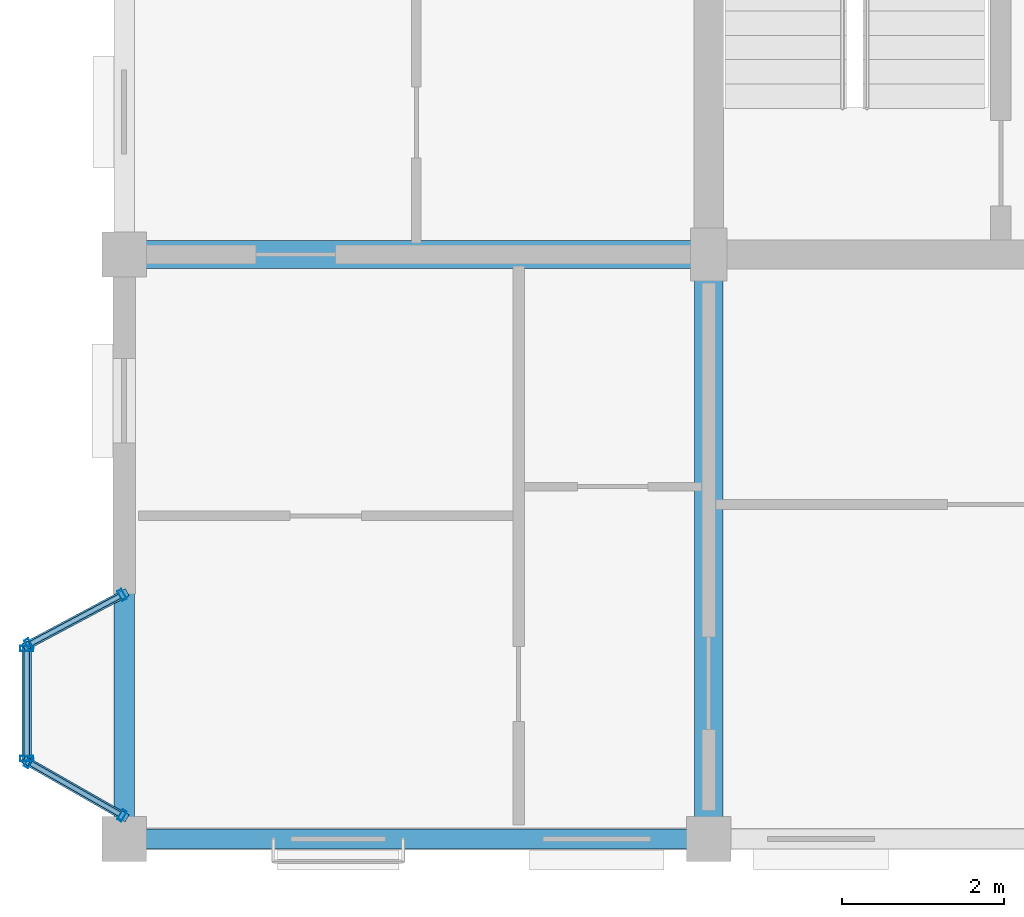
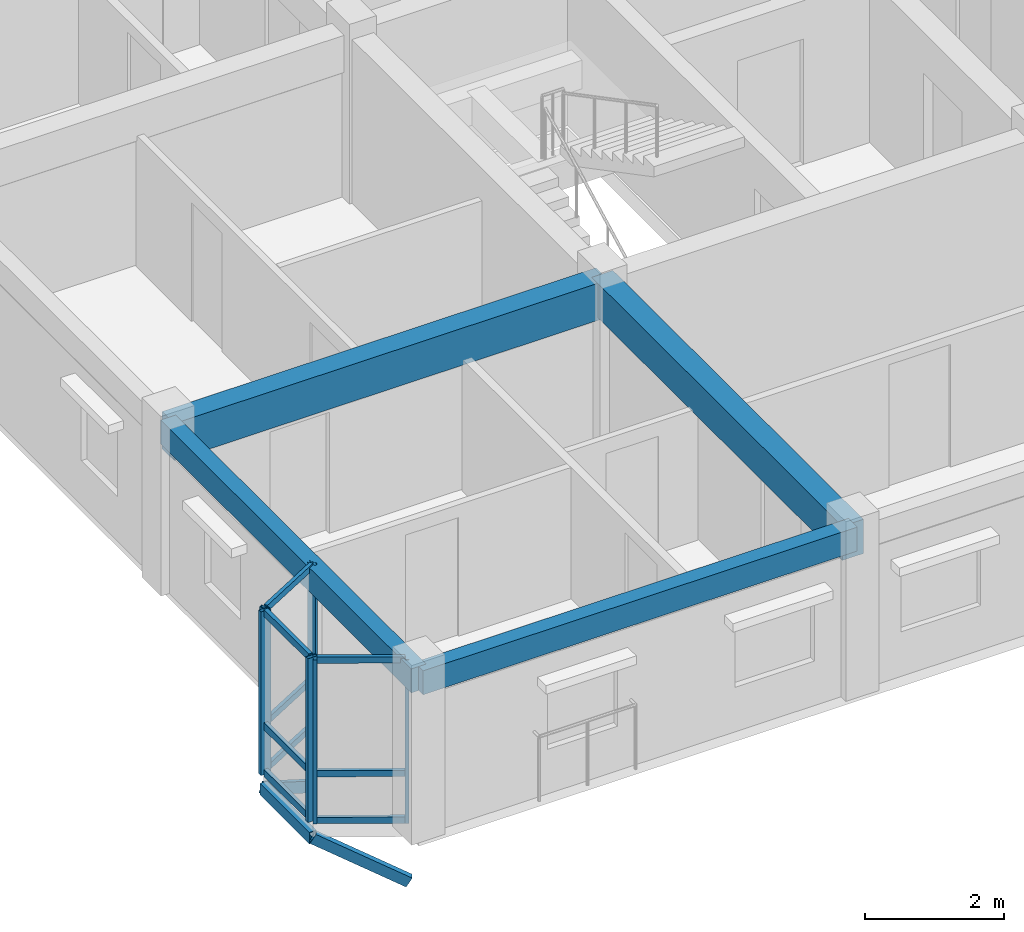
# One storey, part 2 of 79: 18 members, 4 beams, 3 elements without a shape of their own.
"""IFC4 building model written with IfcOpenShell, lengths in metres."""

from ifc_helpers import new_model, si_unit, direction, frame, origin, origin_2d, place, context, subcontext, project, spatial, rectangle, hollow_rectangle, extrude, material, layer, layer_set, material_profile, profile_set, type_object, element, aggregate, save


model = new_model("IFC4")

# Units and contexts
model_context = context("Model", 3, precision=1e-05, world=origin(), true_north=direction((0.0, 1.0)))
body_context = subcontext(model_context, "Body", "Model", "MODEL_VIEW")
ifc_project = project(units=[si_unit("LENGTHUNIT", "METRE"), si_unit("AREAUNIT", "SQUARE_METRE"), si_unit("VOLUMEUNIT", "CUBIC_METRE"), si_unit("PLANEANGLEUNIT", "RADIAN"), si_unit("MASSUNIT", "GRAM", prefix="KILO"), si_unit("THERMODYNAMICTEMPERATUREUNIT", "KELVIN"), si_unit("POWERUNIT", "WATT")], contexts=[model_context])

# Site, building, storey
site_placement = place(None, origin())
site = spatial("IfcSite", under=ifc_project, at=site_placement, CompositionType="ELEMENT")
building_placement = place(site_placement, origin())
building = spatial("IfcBuilding", under=site, at=building_placement, Name="Tavuni Mirador Residences", CompositionType="ELEMENT")
storey_placement = place(building_placement, frame((0.0, 0.0, 13.949951171875)))
storey = spatial("IfcBuildingStorey", under=building, at=storey_placement, Name="L04", CompositionType="ELEMENT", Elevation=13.949951171875)

# Beams
ifc_material_1 = material(Name="Precast concrete C40/50", Category="concrete")
ifc_material_profile_1 = material_profile(ifc_material_1, rectangle(XDim=0.35009765625, YDim=0.60009765625, at=origin_2d()), Name="PC 350x600", Category="concrete")
ifc_profile_set_1 = profile_set([ifc_material_profile_1], Name="Precast concrete C40/50")
beam_type_1 = type_object("IfcBeamType", Name="BT-B600", PredefinedType="BEAM", material=ifc_profile_set_1)
beam_1_placement = place(storey_placement, frame((10.800048828125, 7.199951171875, 2.570068359375), z_axis=(0.0, 1.0, 0.0), x_axis=(-1.0, 0.0, 0.0)))
element("IfcBeam", 1, at=beam_1_placement, inside=storey, type_object=beam_type_1, Name="BMY-BLK-A-L04-01-00", PredefinedType="BEAM", context=body_context, shape_type="SweptSolid", body=[
    extrude(rectangle(XDim=0.35009765625, YDim=0.60009765625, at=origin_2d()), origin(), (0.0, 0.0, 1.0), 7.199951171875),
])
ifc_material_profile_2 = material_profile(ifc_material_1, rectangle(XDim=0.35009765625, YDim=0.64990234375, at=origin_2d()), Name="PC 350x650", Category="concrete")
ifc_profile_set_2 = profile_set([ifc_material_profile_2], Name="Precast concrete C40/50")
beam_type_2 = type_object("IfcBeamType", Name="BT-B650", PredefinedType="BEAM", material=ifc_profile_set_2)
beam_2_placement = place(storey_placement, frame((3.60009765625, 14.39990234375, 2.545166015625), z_axis=(1.0, 0.0, 0.0), x_axis=(0.0, 1.0, 0.0)))
element("IfcBeam", 2, at=beam_2_placement, inside=storey, type_object=beam_type_2, Name="BMX-BLK-A-L04-00-01", PredefinedType="BEAM", context=body_context, shape_type="SweptSolid", body=[
    extrude(rectangle(XDim=0.35009765625, YDim=0.64990234375, at=origin_2d()), origin(), (0.0, 0.0, 1.0), 7.199951171875),
])
ifc_material_profile_3 = material_profile(ifc_material_1, rectangle(XDim=0.25, YDim=0.419921875, at=origin_2d()), Name="PC 250x420", Category="concrete")
ifc_profile_set_3 = profile_set([ifc_material_profile_3], Name="Precast concrete C40/50")
beam_type_3 = type_object("IfcBeamType", Name="BT-SP420", PredefinedType="SPANDREL", material=ifc_profile_set_3)
for number, where, z_axis, x_axis, name in (
    (3, (3.60009765625, 7.199951171875, 2.66015625), (1.0, 0.0, 0.0), (0.0, 1.0, 0.0), "BMX-BLK-A-L04-00-00"),
    (4, (3.60009765625, 7.199951171875, 2.66015625), (0.0, 1.0, 0.0), (-1.0, 0.0, 0.0), "BMY-BLK-A-L04-00-00"),
):
    element("IfcBeam", number, at=place(storey_placement, frame(where, z_axis=z_axis, x_axis=x_axis)), inside=storey, type_object=beam_type_3, Name=name, PredefinedType="SPANDREL", context=body_context, shape_type="SweptSolid", body=[
        extrude(rectangle(XDim=0.25, YDim=0.419921875, at=origin_2d()), origin(), (0.0, 0.0, 1.0), 7.199951171875),
    ])

# Curtain wall, members
ifc_material_2 = material(Name="Anodised aluminium", Category="aluminium")
ifc_layer_1 = layer(ifc_material_2, 0.175048828125, Name="Anodised aluminium", Category="aluminium")
ifc_layer_set_1 = layer_set([ifc_layer_1], Name="Anodised aluminium")
curtain_wall_type_1 = type_object("IfcCurtainWallType", Name="CWT-MIR-C", PredefinedType="NOTDEFINED", material=ifc_layer_set_1)
curtain_wall_1_placement = place(storey_placement, origin())
curtain_wall_1 = element("IfcCurtainWall", 5, at=curtain_wall_1_placement, inside=storey, type_object=curtain_wall_type_1, Name="CW-MIR-A-W1-L04-M1", PredefinedType="NOTDEFINED")
ifc_material_profile_4 = material_profile(ifc_material_2, hollow_rectangle(XDim=0.06005859375, YDim=0.139892578125, WallThickness=0.00390625, at=origin_2d()), Name="ALU 60x140x4.0", Category="aluminium")
ifc_profile_set_4 = profile_set([ifc_material_profile_4], Name="Anodised aluminium")
member_type_1 = type_object("IfcMemberType", Name="CWM-140", PredefinedType="MULLION", material=ifc_profile_set_4)
member_1_placement = place(storey_placement, frame((3.573486328125, 10.205810546875, 0.0), z_axis=(0.0, 0.0, 1.0), x_axis=(-0.882352941175, -0.470588235296, 0.0)))
member_1 = element("IfcMember", 6, at=member_1_placement, type_object=member_type_1, Name="CW-03 mullion 1", PredefinedType="MULLION", context=body_context, shape_type="SweptSolid", body=[
    extrude(hollow_rectangle(XDim=0.06005859375, YDim=0.139892578125, WallThickness=0.00390625, at=origin_2d()), origin(), (0.0, 0.0, 1.0), 2.8701171875),
])
member_2_placement = place(storey_placement, frame((2.426513671875, 9.59423828125, 0.0), z_axis=(0.0, 0.0, 1.0), x_axis=(-0.882352941175, -0.470588235296, 0.0)))
member_2 = element("IfcMember", 7, at=member_2_placement, type_object=member_type_1, Name="CW-03 mullion 2", PredefinedType="MULLION", context=body_context, shape_type="SweptSolid", body=[
    extrude(hollow_rectangle(XDim=0.06005859375, YDim=0.139892578125, WallThickness=0.00390625, at=origin_2d()), origin(), (0.0, 0.0, 1.0), 2.8701171875),
])

ifc_layer_2 = layer(ifc_material_2, 0.1650390625, Name="Anodised aluminium", Category="aluminium")
ifc_layer_set_2 = layer_set([ifc_layer_2], Name="Anodised aluminium")
curtain_wall_type_2 = type_object("IfcCurtainWallType", Name="CWT-MIR-A", PredefinedType="NOTDEFINED", material=ifc_layer_set_2)
curtain_wall_2_placement = place(storey_placement, origin())
curtain_wall_2 = element("IfcCurtainWall", 8, at=curtain_wall_2_placement, inside=storey, type_object=curtain_wall_type_2, Name="CW-MIR-A-W1-L04-M2", PredefinedType="NOTDEFINED")
member_3_placement = place(storey_placement, frame((2.426025390625, 8.14501953125, 0.0), z_axis=(0.0, 0.0, 1.0), x_axis=(0.868465738194, -0.495749192217, 0.0)))
member_3 = element("IfcMember", 9, at=member_3_placement, type_object=member_type_1, Name="CW-01 mullion 1", PredefinedType="MULLION", context=body_context, shape_type="SweptSolid", body=[
    extrude(hollow_rectangle(XDim=0.06005859375, YDim=0.139892578125, WallThickness=0.00390625, at=origin_2d()), origin(), (0.0, 0.0, 1.0), 2.8701171875),
])
member_4_placement = place(storey_placement, frame((3.573974609375, 7.489990234375, 0.0), z_axis=(0.0, 0.0, 1.0), x_axis=(0.868465738194, -0.495749192217, 0.0)))
member_4 = element("IfcMember", 10, at=member_4_placement, type_object=member_type_1, Name="CW-01 mullion 2", PredefinedType="MULLION", context=body_context, shape_type="SweptSolid", body=[
    extrude(hollow_rectangle(XDim=0.06005859375, YDim=0.139892578125, WallThickness=0.00390625, at=origin_2d()), origin(), (0.0, 0.0, 1.0), 2.8701171875),
])

ifc_layer_3 = layer(ifc_material_2, 0.159912109375, Name="Anodised aluminium", Category="aluminium")
ifc_layer_set_3 = layer_set([ifc_layer_3], Name="Anodised aluminium")
curtain_wall_type_3 = type_object("IfcCurtainWallType", Name="CWT-MIR-D", PredefinedType="NOTDEFINED", material=ifc_layer_set_3)
curtain_wall_3_placement = place(storey_placement, origin())
curtain_wall_3 = element("IfcCurtainWall", 11, at=curtain_wall_3_placement, inside=storey, type_object=curtain_wall_type_3, Name="CW-MIR-A-W1-L04-MF", PredefinedType="NOTDEFINED")
ifc_material_profile_5 = material_profile(ifc_material_2, hollow_rectangle(XDim=0.06494140625, YDim=0.1650390625, WallThickness=0.00439453125, at=origin_2d()), Name="ALU 65x165x4.5", Category="aluminium")
ifc_profile_set_5 = profile_set([ifc_material_profile_5], Name="Anodised aluminium")
member_type_2 = type_object("IfcMemberType", Name="CWM-165", PredefinedType="MULLION", material=ifc_profile_set_5)
member_5_placement = place(storey_placement, frame((2.39990234375, 9.547607421875, 0.0), z_axis=(0.0, 0.0, 1.0), x_axis=(0.0, -1.0, 0.0)))
member_5 = element("IfcMember", 12, at=member_5_placement, type_object=member_type_2, Name="CW-04 mullion 1", PredefinedType="MULLION", context=body_context, shape_type="SweptSolid", body=[
    extrude(hollow_rectangle(XDim=0.06494140625, YDim=0.1650390625, WallThickness=0.00439453125, at=origin_2d()), origin(), (0.0, 0.0, 1.0), 2.8701171875),
])
member_6_placement = place(storey_placement, frame((2.39990234375, 8.1923828125, 0.0), z_axis=(0.0, 0.0, 1.0), x_axis=(0.0, -1.0, 0.0)))
member_6 = element("IfcMember", 13, at=member_6_placement, type_object=member_type_2, Name="CW-04 mullion 2", PredefinedType="MULLION", context=body_context, shape_type="SweptSolid", body=[
    extrude(hollow_rectangle(XDim=0.06494140625, YDim=0.1650390625, WallThickness=0.00439453125, at=origin_2d()), origin(), (0.0, 0.0, 1.0), 2.8701171875),
])

# Member
ifc_material_profile_6 = material_profile(ifc_material_2, hollow_rectangle(XDim=0.06005859375, YDim=0.110107421875, WallThickness=0.00390625, at=origin_2d()), Name="ALU 60x110x4.0", Category="aluminium")
ifc_profile_set_6 = profile_set([ifc_material_profile_6], Name="Anodised aluminium")
member_type_3 = type_object("IfcMemberType", Name="CWT-110", PredefinedType="USERDEFINED", material=ifc_profile_set_6)
member_7_placement = place(storey_placement, frame((3.547119140625, 10.191650390625, 0.030029296875), z_axis=(-0.882385637708, -0.470526924168, 0.0), x_axis=(0.470526924168, -0.882385637708, 0.0)))
member_7 = element("IfcMember", 14, at=member_7_placement, type_object=member_type_3, Name="CW-03 transom 1.1", ObjectType="TRANSOM", PredefinedType="USERDEFINED", context=body_context, shape_type="SweptSolid", body=[
    extrude(hollow_rectangle(XDim=0.06005859375, YDim=0.110107421875, WallThickness=0.00390625, at=origin_2d()), origin(), (0.0, 0.0, 1.0), 1.239990234375),
])

member_8_placement = place(storey_placement, frame((3.547119140625, 10.191650390625, 0.85009765625), z_axis=(-0.882385637708, -0.470526924168, 0.0), x_axis=(0.470526924168, -0.882385637708, 0.0)))
member_8 = element("IfcMember", 15, at=member_8_placement, type_object=member_type_3, Name="CW-03 transom 1.2", ObjectType="TRANSOM", PredefinedType="USERDEFINED", context=body_context, shape_type="SweptSolid", body=[
    extrude(hollow_rectangle(XDim=0.06005859375, YDim=0.110107421875, WallThickness=0.00390625, at=origin_2d()), origin(), (0.0, 0.0, 1.0), 1.239990234375),
])

member_9_placement = place(storey_placement, frame((3.547119140625, 10.191650390625, 2.840087890625), z_axis=(-0.882385637708, -0.470526924168, 0.0), x_axis=(0.470526924168, -0.882385637708, 0.0)))
member_9 = element("IfcMember", 16, at=member_9_placement, type_object=member_type_3, Name="CW-03 transom 1.3", ObjectType="TRANSOM", PredefinedType="USERDEFINED", context=body_context, shape_type="SweptSolid", body=[
    extrude(hollow_rectangle(XDim=0.06005859375, YDim=0.110107421875, WallThickness=0.00390625, at=origin_2d()), origin(), (0.0, 0.0, 1.0), 1.239990234375),
])

aggregate(curtain_wall_1, [member_1, member_2, member_7, member_8, member_9])

member_10_placement = place(storey_placement, frame((2.4521484375, 8.13037109375, 0.030029296875), z_axis=(0.868374088354, -0.495909712222, 0.0), x_axis=(0.495909712222, 0.868374088354, 0.0)))
member_10 = element("IfcMember", 17, at=member_10_placement, type_object=member_type_3, Name="CW-01 transom 1.1", ObjectType="TRANSOM", PredefinedType="USERDEFINED", context=body_context, shape_type="SweptSolid", body=[
    extrude(hollow_rectangle(XDim=0.06005859375, YDim=0.110107421875, WallThickness=0.00390625, at=origin_2d()), origin(), (0.0, 0.0, 1.0), 1.26171875),
])

member_11_placement = place(storey_placement, frame((2.4521484375, 8.13037109375, 0.85009765625), z_axis=(0.868374088354, -0.495909712222, 0.0), x_axis=(0.495909712222, 0.868374088354, 0.0)))
member_11 = element("IfcMember", 18, at=member_11_placement, type_object=member_type_3, Name="CW-01 transom 1.2", ObjectType="TRANSOM", PredefinedType="USERDEFINED", context=body_context, shape_type="SweptSolid", body=[
    extrude(hollow_rectangle(XDim=0.06005859375, YDim=0.110107421875, WallThickness=0.00390625, at=origin_2d()), origin(), (0.0, 0.0, 1.0), 1.26171875),
])

member_12_placement = place(storey_placement, frame((2.4521484375, 8.13037109375, 2.840087890625), z_axis=(0.868374088354, -0.495909712222, 0.0), x_axis=(0.495909712222, 0.868374088354, 0.0)))
member_12 = element("IfcMember", 19, at=member_12_placement, type_object=member_type_3, Name="CW-01 transom 1.3", ObjectType="TRANSOM", PredefinedType="USERDEFINED", context=body_context, shape_type="SweptSolid", body=[
    extrude(hollow_rectangle(XDim=0.06005859375, YDim=0.110107421875, WallThickness=0.00390625, at=origin_2d()), origin(), (0.0, 0.0, 1.0), 1.26171875),
])

aggregate(curtain_wall_2, [member_3, member_4, member_10, member_11, member_12])

ifc_material_profile_7 = material_profile(ifc_material_2, hollow_rectangle(XDim=0.06494140625, YDim=0.125, WallThickness=0.00439453125, at=origin_2d()), Name="ALU 65x125x4.5", Category="aluminium")
ifc_profile_set_7 = profile_set([ifc_material_profile_7], Name="Anodised aluminium")
member_type_4 = type_object("IfcMemberType", Name="CWT-125", PredefinedType="USERDEFINED", material=ifc_profile_set_7)
member_13_placement = place(storey_placement, frame((2.39990234375, 9.514892578125, 0.032470703125), z_axis=(0.0, -1.0, 0.0), x_axis=(1.0, 0.0, 0.0)))
member_13 = element("IfcMember", 20, at=member_13_placement, type_object=member_type_4, Name="CW-04 transom 1.1", ObjectType="TRANSOM", PredefinedType="USERDEFINED", context=body_context, shape_type="SweptSolid", body=[
    extrude(hollow_rectangle(XDim=0.06494140625, YDim=0.125, WallThickness=0.00439453125, at=origin_2d()), origin(), (0.0, 0.0, 1.0), 1.289794921875),
])

member_14_placement = place(storey_placement, frame((2.39990234375, 9.514892578125, 0.85009765625), z_axis=(0.0, -1.0, 0.0), x_axis=(1.0, 0.0, 0.0)))
member_14 = element("IfcMember", 21, at=member_14_placement, type_object=member_type_4, Name="CW-04 transom 1.2", ObjectType="TRANSOM", PredefinedType="USERDEFINED", context=body_context, shape_type="SweptSolid", body=[
    extrude(hollow_rectangle(XDim=0.06494140625, YDim=0.125, WallThickness=0.00439453125, at=origin_2d()), origin(), (0.0, 0.0, 1.0), 1.289794921875),
])

member_15_placement = place(storey_placement, frame((2.39990234375, 9.514892578125, 2.837646484375), z_axis=(0.0, -1.0, 0.0), x_axis=(1.0, 0.0, 0.0)))
member_15 = element("IfcMember", 22, at=member_15_placement, type_object=member_type_4, Name="CW-04 transom 1.3", ObjectType="TRANSOM", PredefinedType="USERDEFINED", context=body_context, shape_type="SweptSolid", body=[
    extrude(hollow_rectangle(XDim=0.06494140625, YDim=0.125, WallThickness=0.00439453125, at=origin_2d()), origin(), (0.0, 0.0, 1.0), 1.289794921875),
])

aggregate(curtain_wall_3, [member_5, member_6, member_13, member_14, member_15])

# Members
ifc_material_3 = material(Name="Structural steel S355", Category="steel")
ifc_material_profile_8 = material_profile(ifc_material_3, hollow_rectangle(XDim=0.10009765625, YDim=0.179931640625, WallThickness=0.008056640625, at=origin_2d()), Name="RHS 180x100x8.0", Category="steel")
ifc_profile_set_8 = profile_set([ifc_material_profile_8], Name="Structural steel S355")
member_type_5 = type_object("IfcMemberType", Name="MT-BR-RHS180", PredefinedType="BRACE", material=ifc_profile_set_8)
member_16_placement = place(storey_placement, frame((3.60009765625, 7.47509765625, -1.050048828125), z_axis=(-0.758710666466, 0.432909564572, 0.486772465833), x_axis=(-0.495587053321, -0.868558272415, 0.0)))
element("IfcMember", 23, at=member_16_placement, inside=storey, type_object=member_type_5, Name="MBRK-MIR-A-W1-L04-1", PredefinedType="BRACE", context=body_context, shape_type="SweptSolid", body=[
    extrude(hollow_rectangle(XDim=0.10009765625, YDim=0.179931640625, WallThickness=0.008056640625, at=origin_2d()), origin(), (0.0, 0.0, 1.0), 1.581787109375),
])
member_17_placement = place(storey_placement, frame((3.60009765625, 10.219970703125, -1.050048828125), z_axis=(-0.767896193149, -0.409409260017, 0.492665702439), x_axis=(0.470467115558, -0.882417527692, 0.0)))
element("IfcMember", 24, at=member_17_placement, inside=storey, type_object=member_type_5, Name="MBRK-MIR-A-W1-L04-2", PredefinedType="BRACE", context=body_context, shape_type="SweptSolid", body=[
    extrude(hollow_rectangle(XDim=0.10009765625, YDim=0.179931640625, WallThickness=0.008056640625, at=origin_2d()), origin(), (0.0, 0.0, 1.0), 1.56298828125),
])
ifc_material_profile_9 = material_profile(ifc_material_3, hollow_rectangle(XDim=0.1201171875, YDim=0.199951171875, WallThickness=0.010009765625, at=origin_2d()), Name="RHS 200x120x10.0", Category="steel")
ifc_profile_set_9 = profile_set([ifc_material_profile_9], Name="Structural steel S355")
member_type_6 = type_object("IfcMemberType", Name="MT-ST-RHS200", PredefinedType="STRUT", material=ifc_profile_set_9)
member_18_placement = place(storey_placement, frame((2.39990234375, 8.159912109375, -0.280029296875), z_axis=(0.0, 1.0, 0.0), x_axis=(-1.0, 0.0, 0.0)))
element("IfcMember", 25, at=member_18_placement, inside=storey, type_object=member_type_6, Name="MRIM-MIR-A-W1-L04", PredefinedType="STRUT", context=body_context, shape_type="SweptSolid", body=[
    extrude(hollow_rectangle(XDim=0.1201171875, YDim=0.199951171875, WallThickness=0.010009765625, at=origin_2d()), origin(), (0.0, 0.0, 1.0), 1.420166015625),
])

save(model, "model.ifc")
